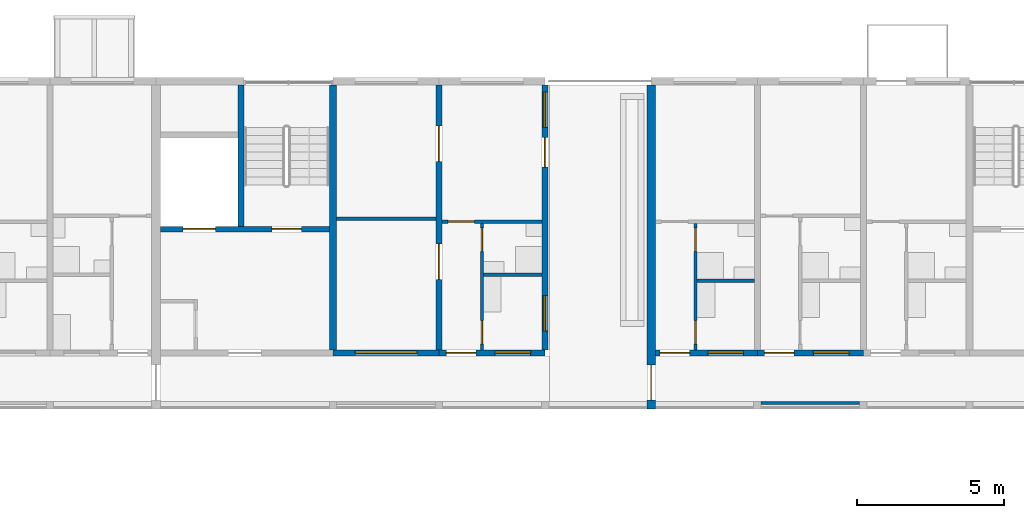
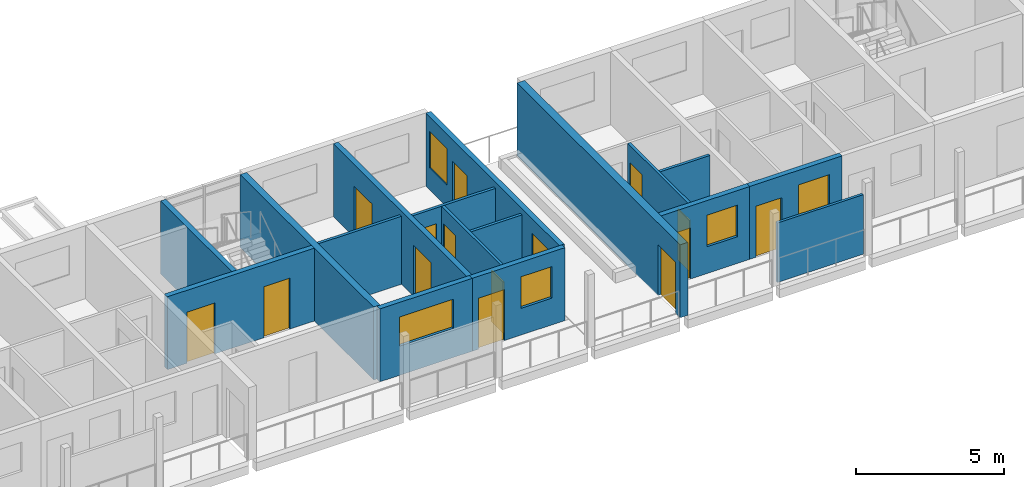
# One storey, part 36 of 93: 17 walls, 14 doors, 6 windows, 20 openings.
"""IFC4 building model written with IfcOpenShell, lengths in metres."""

from ifc_helpers import new_model, si_unit, direction, frame, frame_2d, origin, place, context, subcontext, project, spatial, rectangle, extrude, material, layer, layer_set, type_object, element, fill, save


model = new_model("IFC4")

# Units and contexts
model_context = context("Model", 3, precision=1e-05, world=origin(), true_north=direction((0.0, 1.0)))
body_context = subcontext(model_context, "Body", "Model", "MODEL_VIEW")
ifc_project = project(units=[si_unit("LENGTHUNIT", "METRE"), si_unit("AREAUNIT", "SQUARE_METRE"), si_unit("VOLUMEUNIT", "CUBIC_METRE"), si_unit("PLANEANGLEUNIT", "RADIAN"), si_unit("MASSUNIT", "GRAM", prefix="KILO")], contexts=[model_context])

# Site, building, storey
site_placement = place(None, origin())
site = spatial("IfcSite", under=ifc_project, at=site_placement, CompositionType="ELEMENT")
building_placement = place(site_placement, origin())
building = spatial("IfcBuilding", under=site, at=building_placement, Name="Ridgestep Commons", CompositionType="ELEMENT")
storey_placement = place(building_placement, frame((0.0, 0.0, 18.0)))
storey = spatial("IfcBuildingStorey", under=building, at=storey_placement, Name="L06", CompositionType="ELEMENT", Elevation=18.0)

# Wall
ifc_material_1 = material(Name="Concrete C30/37", Category="concrete")
ifc_layer_1 = layer(ifc_material_1, 0.25)
ifc_layer_set_1 = layer_set([ifc_layer_1], Name="Core cross wall 250")
wall_type_1 = type_object("IfcWallType", Name="Core cross wall 250", PredefinedType="SHEAR", material=ifc_layer_set_1)
wall_1_placement = place(storey_placement, frame((51.60009765625, 68.0, 0.0), z_axis=(0.0, 0.0, 1.0), x_axis=(0.0, 1.0, 0.0)))
element("IfcWall", 1, at=wall_1_placement, inside=storey, type_object=wall_type_1, Name="Cross wall B-06-0516", PredefinedType="SHEAR", context=body_context, shape_type="SweptSolid", body=[
    extrude(rectangle(XDim=9.0, YDim=0.25, at=frame_2d((4.5, 0.0))), origin(), (0.0, 0.0, 1.0), 3.0),
])

# Wall, openings, doors
ifc_material_2 = material(Name="Concrete C30/37", Category="concrete")
ifc_layer_2 = layer(ifc_material_2, 0.199951171875)
ifc_layer_set_2 = layer_set([ifc_layer_2], Name="Core wall 200")
wall_type_2 = type_object("IfcWallType", Name="Core wall 200", PredefinedType="SHEAR", material=ifc_layer_set_2)
wall_2_placement = place(storey_placement, frame((45.75, 72.10009765625, 0.0), z_axis=(0.0, 0.0, 1.0), x_axis=(1.0, 0.0, 0.0)))
wall_2 = element("IfcWall", 2, at=wall_2_placement, inside=storey, type_object=wall_type_2, Name="Core lobby wall B3C L06", PredefinedType="SHEAR", context=body_context, shape_type="SweptSolid", body=[
    extrude(rectangle(XDim=5.72509765625, YDim=0.199951171875, at=frame_2d((2.862548828125, 0.0))), origin(), (0.0, 0.0, 1.0), 3.0),
])
opening_1_placement = place(wall_2_placement, frame((3.77490234375, 0.0, 0.0)))
opening_1 = element("IfcOpeningElement", 3, at=opening_1_placement, cuts=wall_2, Name="Opening B3C/06/2", PredefinedType="OPENING", context=body_context, shape_type="SweptSolid", body=[
    extrude(rectangle(XDim=1.0, YDim=2.10009765625, at=frame_2d((0.5, 1.050048828125))), frame((0.0, 0.10986328125, 0.0), z_axis=(0.0, -1.0, 0.0), x_axis=(1.0, 0.0, 0.0)), (0.0, 0.0, 1.0), 0.219970703125),
])
opening_2_placement = place(wall_2_placement, frame((0.762451171875, 0.0, 0.0)))
opening_2 = element("IfcOpeningElement", 4, at=opening_2_placement, cuts=wall_2, Name="Opening B3C/06/3", PredefinedType="OPENING", context=body_context, shape_type="SweptSolid", body=[
    extrude(rectangle(XDim=1.10009765625, YDim=2.10009765625, at=frame_2d((0.550048828125, 1.050048828125))), frame((0.0, 0.10986328125, 0.0), z_axis=(0.0, -1.0, 0.0), x_axis=(1.0, 0.0, 0.0)), (0.0, 0.0, 1.0), 0.219970703125),
])
ifc_material_3 = material(Name="Stainless steel", Category="steel")
door_type_1 = type_object("IfcDoorType", Name="Lift landing door 1100 x 2100 FD60", OperationType="DOUBLE_DOOR_SLIDING", PredefinedType="DOOR", material=ifc_material_3)
door_1_placement = place(opening_2_placement, origin())
door_1 = element("IfcDoor", 5, at=door_1_placement, inside=storey, type_object=door_type_1, Name="Landing door LD B3C L06", OperationType="DOUBLE_DOOR_SLIDING", OverallHeight=2.10009765625, OverallWidth=1.10009765625, PredefinedType="DOOR", context=body_context, shape_type="SweptSolid", body=[
    extrude(rectangle(XDim=1.10009765625, YDim=2.10009765625, at=frame_2d((0.550048828125, 1.050048828125))), frame((0.0, 0.02490234375, 0.0), z_axis=(0.0, -1.0, 0.0), x_axis=(1.0, 0.0, 0.0)), (0.0, 0.0, 1.0), 0.050048828125),
])
fill(opening_2, door_1)
ifc_material_4 = material(Name="Steel fire door", Category="steel")
door_type_2 = type_object("IfcDoorType", Name="Stair door 1000 x 2100 FD60", OperationType="NOTDEFINED", PredefinedType="DOOR", material=ifc_material_4)
door_2_placement = place(opening_1_placement, origin())
door_2 = element("IfcDoor", 6, at=door_2_placement, inside=storey, type_object=door_type_2, Name="Stair door B3C/06/2", OperationType="SINGLE_SWING_RIGHT", OverallHeight=2.10009765625, OverallWidth=1.0, PredefinedType="DOOR", context=body_context, shape_type="SweptSolid", body=[
    extrude(rectangle(XDim=1.0, YDim=2.10009765625, at=frame_2d((0.5, 1.050048828125))), frame((0.0, 0.02490234375, 0.0), z_axis=(0.0, -1.0, 0.0), x_axis=(1.0, 0.0, 0.0)), (0.0, 0.0, 1.0), 0.050048828125),
])
fill(opening_1, door_2)

# Wall
wall_3_placement = place(storey_placement, frame((48.47509765625, 72.199951171875, 0.0), z_axis=(0.0, 0.0, 1.0), x_axis=(0.0, 1.0, 0.0)))
element("IfcWall", 7, at=wall_3_placement, inside=storey, type_object=wall_type_2, Name="Core stair wall B3C L06", PredefinedType="SHEAR", context=body_context, shape_type="SweptSolid", body=[
    extrude(rectangle(XDim=4.800048828125, YDim=0.199951171875, at=frame_2d((2.39990234375, 0.0))), origin(), (0.0, 0.0, 1.0), 3.0),
])

# Wall, openings, doors
ifc_material_5 = material(Name="Precast concrete C40/50", Category="concrete")
ifc_layer_3 = layer(ifc_material_5, 0.199951171875)
ifc_layer_set_3 = layer_set([ifc_layer_3], Name="Cross wall 200")
wall_type_3 = type_object("IfcWallType", Name="Cross wall 200", PredefinedType="SHEAR", material=ifc_layer_set_3)
wall_4_placement = place(storey_placement, frame((55.199951171875, 68.0, 0.0), z_axis=(0.0, 0.0, 1.0), x_axis=(0.0, 1.0, 0.0)))
wall_4 = element("IfcWall", 8, at=wall_4_placement, inside=storey, type_object=wall_type_3, Name="Cross wall B-06-0552", PredefinedType="SHEAR", context=body_context, shape_type="SweptSolid", body=[
    extrude(rectangle(XDim=9.0, YDim=0.199951171875, at=frame_2d((4.5, 0.0))), origin(), (0.0, 0.0, 1.0), 3.0),
])
opening_3_placement = place(wall_4_placement, frame((2.39990234375, 0.0, 0.0)))
opening_3 = element("IfcOpeningElement", 9, at=opening_3_placement, cuts=wall_4, Name="Opening B3-06a/5", PredefinedType="OPENING", context=body_context, shape_type="SweptSolid", body=[
    extrude(rectangle(XDim=1.199951171875, YDim=2.10009765625, at=frame_2d((0.60009765625, 1.050048828125))), frame((0.0, 0.10986328125, 0.0), z_axis=(0.0, -1.0, 0.0), x_axis=(1.0, 0.0, 0.0)), (0.0, 0.0, 1.0), 0.219970703125),
])
opening_4_placement = place(wall_4_placement, frame((6.39990234375, 0.0, 0.0)))
opening_4 = element("IfcOpeningElement", 10, at=opening_4_placement, cuts=wall_4, Name="Opening B3-06a/6", PredefinedType="OPENING", context=body_context, shape_type="SweptSolid", body=[
    extrude(rectangle(XDim=1.199951171875, YDim=2.10009765625, at=frame_2d((0.60009765625, 1.050048828125))), frame((0.0, 0.10986328125, 0.0), z_axis=(0.0, -1.0, 0.0), x_axis=(1.0, 0.0, 0.0)), (0.0, 0.0, 1.0), 0.219970703125),
])
ifc_material_6 = material(Name="Timber door leaf", Category="wood")
door_type_3 = type_object("IfcDoorType", Name="Double door 1200 x 2100", OperationType="DOUBLE_DOOR_SINGLE_SWING", PredefinedType="DOOR", material=ifc_material_6)
door_3_placement = place(opening_3_placement, origin())
door_3 = element("IfcDoor", 11, at=door_3_placement, inside=storey, type_object=door_type_3, Name="Double door B3-06a/5", OperationType="DOUBLE_DOOR_SINGLE_SWING", OverallHeight=2.10009765625, OverallWidth=1.199951171875, PredefinedType="DOOR", context=body_context, shape_type="SweptSolid", body=[
    extrude(rectangle(XDim=1.199951171875, YDim=2.10009765625, at=frame_2d((0.60009765625, 1.050048828125))), frame((0.0, 0.02490234375, 0.0), z_axis=(0.0, -1.0, 0.0), x_axis=(1.0, 0.0, 0.0)), (0.0, 0.0, 1.0), 0.050048828125),
])
fill(opening_3, door_3)
door_4_placement = place(opening_4_placement, origin())
door_4 = element("IfcDoor", 12, at=door_4_placement, inside=storey, type_object=door_type_3, Name="Double door B3-06a/6", OperationType="DOUBLE_DOOR_SINGLE_SWING", OverallHeight=2.10009765625, OverallWidth=1.199951171875, PredefinedType="DOOR", context=body_context, shape_type="SweptSolid", body=[
    extrude(rectangle(XDim=1.199951171875, YDim=2.10009765625, at=frame_2d((0.60009765625, 1.050048828125))), frame((0.0, 0.02490234375, 0.0), z_axis=(0.0, -1.0, 0.0), x_axis=(1.0, 0.0, 0.0)), (0.0, 0.0, 1.0), 0.050048828125),
])
fill(opening_4, door_4)

# Wall, openings, windows, door
ifc_material_7 = material(Name="Precast concrete C40/50", Category="concrete")
ifc_layer_4 = layer(ifc_material_7, 0.199951171875)
ifc_layer_set_4 = layer_set([ifc_layer_4], Name="Exposed cross wall 200")
wall_type_4 = type_object("IfcWallType", Name="Exposed cross wall 200", PredefinedType="SHEAR", material=ifc_layer_set_4)
wall_5_placement = place(storey_placement, frame((58.800048828125, 68.0, 0.0), z_axis=(0.0, 0.0, 1.0), x_axis=(0.0, 1.0, 0.0)))
wall_5 = element("IfcWall", 13, at=wall_5_placement, inside=storey, type_object=wall_type_4, Name="Cross wall B-06-0588", PredefinedType="SHEAR", context=body_context, shape_type="SweptSolid", body=[
    extrude(rectangle(XDim=9.0, YDim=0.199951171875, at=frame_2d((4.5, 0.0))), origin(), (0.0, 0.0, 1.0), 3.0),
])
opening_5_placement = place(wall_5_placement, frame((0.64990234375, 0.0, 0.89990234375)))
opening_5 = element("IfcOpeningElement", 14, at=opening_5_placement, cuts=wall_5, Name="Opening W10", PredefinedType="OPENING", context=body_context, shape_type="SweptSolid", body=[
    extrude(rectangle(XDim=1.199951171875, YDim=1.5, at=frame_2d((0.60009765625, 0.75))), frame((0.0, 0.10986328125, 0.0), z_axis=(0.0, -1.0, 0.0), x_axis=(1.0, 0.0, 0.0)), (0.0, 0.0, 1.0), 0.219970703125),
])
opening_6_placement = place(wall_5_placement, frame((7.552490234375, 0.0, 0.89990234375)))
opening_6 = element("IfcOpeningElement", 15, at=opening_6_placement, cuts=wall_5, Name="Opening W10", PredefinedType="OPENING", context=body_context, shape_type="SweptSolid", body=[
    extrude(rectangle(XDim=1.199951171875, YDim=1.5, at=frame_2d((0.60009765625, 0.75))), frame((0.0, 0.10986328125, 0.0), z_axis=(0.0, -1.0, 0.0), x_axis=(1.0, 0.0, 0.0)), (0.0, 0.0, 1.0), 0.219970703125),
])
opening_7_placement = place(wall_5_placement, frame((6.205078125, 0.0, 0.0)))
opening_7 = element("IfcOpeningElement", 16, at=opening_7_placement, cuts=wall_5, Name="Opening B3-06a/7", PredefinedType="OPENING", context=body_context, shape_type="SweptSolid", body=[
    extrude(rectangle(XDim=1.0, YDim=2.10009765625, at=frame_2d((0.5, 1.050048828125))), frame((0.0, 0.10986328125, 0.0), z_axis=(0.0, -1.0, 0.0), x_axis=(1.0, 0.0, 0.0)), (0.0, 0.0, 1.0), 0.219970703125),
])
ifc_material_8 = material(Name="Aluminium 6063-T6 and glass", Category="aluminium")
window_type_1 = type_object("IfcWindowType", Name="Flat window 1200 x 1500", PartitioningType="SINGLE_PANEL", PredefinedType="WINDOW", material=ifc_material_8)
window_1_placement = place(opening_5_placement, origin())
window_1 = element("IfcWindow", 17, at=window_1_placement, inside=storey, type_object=window_type_1, Name="Window B3-06a 5", OverallHeight=1.5, OverallWidth=1.199951171875, PartitioningType="SINGLE_PANEL", PredefinedType="WINDOW", context=body_context, shape_type="SweptSolid", body=[
    extrude(rectangle(XDim=1.199951171875, YDim=1.5, at=frame_2d((0.60009765625, 0.75))), frame((0.0, 0.06005859375, 0.0), z_axis=(0.0, -1.0, 0.0), x_axis=(1.0, 0.0, 0.0)), (0.0, 0.0, 1.0), 0.06005859375),
])
fill(opening_5, window_1)
window_2_placement = place(opening_6_placement, origin())
window_2 = element("IfcWindow", 18, at=window_2_placement, inside=storey, type_object=window_type_1, Name="Window B3-06a 6", OverallHeight=1.5, OverallWidth=1.199951171875, PartitioningType="SINGLE_PANEL", PredefinedType="WINDOW", context=body_context, shape_type="SweptSolid", body=[
    extrude(rectangle(XDim=1.199951171875, YDim=1.5, at=frame_2d((0.60009765625, 0.75))), frame((0.0, 0.06005859375, 0.0), z_axis=(0.0, -1.0, 0.0), x_axis=(1.0, 0.0, 0.0)), (0.0, 0.0, 1.0), 0.06005859375),
])
fill(opening_6, window_2)
ifc_material_9 = material(Name="Aluminium and glass", Category="aluminium")
door_type_4 = type_object("IfcDoorType", Name="Terrace door 1000 x 2100", OperationType="NOTDEFINED", PredefinedType="DOOR", material=ifc_material_9)
door_5_placement = place(opening_7_placement, origin())
door_5 = element("IfcDoor", 19, at=door_5_placement, inside=storey, type_object=door_type_4, Name="Terrace door B3-06a/7", OperationType="SINGLE_SWING_LEFT", OverallHeight=2.10009765625, OverallWidth=1.0, PredefinedType="DOOR", context=body_context, shape_type="SweptSolid", body=[
    extrude(rectangle(XDim=1.0, YDim=2.10009765625, at=frame_2d((0.5, 1.050048828125))), frame((0.0, 0.02490234375, 0.0), z_axis=(0.0, -1.0, 0.0), x_axis=(1.0, 0.0, 0.0)), (0.0, 0.0, 1.0), 0.050048828125),
])
fill(opening_7, door_5)

# Wall, opening, door
ifc_material_10 = material(Name="Precast concrete C40/50", Category="concrete")
ifc_layer_5 = layer(ifc_material_10, 0.300048828125)
ifc_layer_set_5 = layer_set([ifc_layer_5], Name="Exposed division wall 300")
wall_type_5 = type_object("IfcWallType", Name="Exposed division wall 300", PredefinedType="SHEAR", material=ifc_layer_set_5)
wall_6_placement = place(storey_placement, frame((62.39990234375, 66.0, 0.0), z_axis=(0.0, 0.0, 1.0), x_axis=(0.0, 1.0, 0.0)))
wall_6 = element("IfcWall", 20, at=wall_6_placement, inside=storey, type_object=wall_type_5, Name="Cross wall B-06-0624", PredefinedType="SHEAR", context=body_context, shape_type="SweptSolid", body=[
    extrude(rectangle(XDim=11.0, YDim=0.300048828125, at=frame_2d((5.5, 0.0))), origin(), (0.0, 0.0, 1.0), 3.0),
])
opening_8_placement = place(wall_6_placement, frame((0.300048828125, 0.0, 0.0)))
opening_8 = element("IfcOpeningElement", 21, at=opening_8_placement, cuts=wall_6, Name="Opening B/06/G0624", PredefinedType="OPENING", context=body_context, shape_type="SweptSolid", body=[
    extrude(rectangle(XDim=1.199951171875, YDim=2.10009765625, at=frame_2d((0.60009765625, 1.050048828125))), frame((0.0, 0.159912109375, 0.0), z_axis=(0.0, -1.0, 0.0), x_axis=(1.0, 0.0, 0.0)), (0.0, 0.0, 1.0), 0.320068359375),
])
ifc_material_11 = material(Name="Steel fire door", Category="steel")
door_type_5 = type_object("IfcDoorType", Name="Division fire door 1200 x 2100 EI 240", OperationType="DOUBLE_DOOR_SINGLE_SWING", PredefinedType="DOOR", material=ifc_material_11)
door_6_placement = place(opening_8_placement, origin())
door_6 = element("IfcDoor", 22, at=door_6_placement, inside=storey, type_object=door_type_5, Name="Division fire door B/06/G0624", OperationType="DOUBLE_DOOR_SINGLE_SWING", OverallHeight=2.10009765625, OverallWidth=1.199951171875, PredefinedType="DOOR", context=body_context, shape_type="SweptSolid", body=[
    extrude(rectangle(XDim=1.199951171875, YDim=2.10009765625, at=frame_2d((0.60009765625, 1.050048828125))), frame((0.0, 0.02490234375, 0.0), z_axis=(0.0, -1.0, 0.0), x_axis=(1.0, 0.0, 0.0)), (0.0, 0.0, 1.0), 0.050048828125),
])
fill(opening_8, door_6)

# Wall, openings, doors
ifc_material_12 = material(Name="Common brick 110 mm", Category="masonry")
ifc_layer_6 = layer(ifc_material_12, 0.110107421875)
ifc_layer_set_6 = layer_set([ifc_layer_6], Name="Partition 110")
wall_type_6 = type_object("IfcWallType", Name="Partition 110", PredefinedType="PARTITIONING", material=ifc_layer_set_6)
wall_7_placement = place(storey_placement, frame((56.655029296875, 68.0, 0.0), z_axis=(0.0, 0.0, 1.0), x_axis=(0.0, 1.0, 0.0)))
wall_7 = element("IfcWall", 23, at=wall_7_placement, inside=storey, type_object=wall_type_6, Name="Partition B3-06a", PredefinedType="PARTITIONING", context=body_context, shape_type="SweptSolid", body=[
    extrude(rectangle(XDim=4.300048828125, YDim=0.110107421875, at=frame_2d((2.14990234375, 0.0))), origin(), (0.0, 0.0, 1.0), 2.75),
])
opening_9_placement = place(wall_7_placement, frame((0.199951171875, 0.0, 0.0)))
opening_9 = element("IfcOpeningElement", 24, at=opening_9_placement, cuts=wall_7, Name="Opening B3-06a/2", PredefinedType="OPENING", context=body_context, shape_type="SweptSolid", body=[
    extrude(rectangle(XDim=0.800048828125, YDim=2.10009765625, at=frame_2d((0.39990234375, 1.050048828125))), frame((0.0, 0.06494140625, 0.0), z_axis=(0.0, -1.0, 0.0), x_axis=(1.0, 0.0, 0.0)), (0.0, 0.0, 1.0), 0.130126953125),
])
opening_10_placement = place(wall_7_placement, frame((3.35009765625, 0.0, 0.0)))
opening_10 = element("IfcOpeningElement", 25, at=opening_10_placement, cuts=wall_7, Name="Opening B3-06a/3", PredefinedType="OPENING", context=body_context, shape_type="SweptSolid", body=[
    extrude(rectangle(XDim=0.800048828125, YDim=2.10009765625, at=frame_2d((0.39990234375, 1.050048828125))), frame((0.0, 0.06494140625, 0.0), z_axis=(0.0, -1.0, 0.0), x_axis=(1.0, 0.0, 0.0)), (0.0, 0.0, 1.0), 0.130126953125),
])
ifc_material_13 = material(Name="Timber door leaf", Category="wood")
door_type_6 = type_object("IfcDoorType", Name="Internal door 800 x 2100", OperationType="NOTDEFINED", PredefinedType="DOOR", material=ifc_material_13)
door_7_placement = place(opening_9_placement, origin())
door_7 = element("IfcDoor", 26, at=door_7_placement, inside=storey, type_object=door_type_6, Name="Internal door B3-06a/2", OperationType="SINGLE_SWING_RIGHT", OverallHeight=2.10009765625, OverallWidth=0.800048828125, PredefinedType="DOOR", context=body_context, shape_type="SweptSolid", body=[
    extrude(rectangle(XDim=0.800048828125, YDim=2.10009765625, at=frame_2d((0.39990234375, 1.050048828125))), frame((0.0, 0.02490234375, 0.0), z_axis=(0.0, -1.0, 0.0), x_axis=(1.0, 0.0, 0.0)), (0.0, 0.0, 1.0), 0.050048828125),
])
fill(opening_9, door_7)
door_8_placement = place(opening_10_placement, origin())
door_8 = element("IfcDoor", 27, at=door_8_placement, inside=storey, type_object=door_type_6, Name="Internal door B3-06a/3", OperationType="SINGLE_SWING_LEFT", OverallHeight=2.10009765625, OverallWidth=0.800048828125, PredefinedType="DOOR", context=body_context, shape_type="SweptSolid", body=[
    extrude(rectangle(XDim=0.800048828125, YDim=2.10009765625, at=frame_2d((0.39990234375, 1.050048828125))), frame((0.0, 0.02490234375, 0.0), z_axis=(0.0, -1.0, 0.0), x_axis=(1.0, 0.0, 0.0)), (0.0, 0.0, 1.0), 0.050048828125),
])
fill(opening_10, door_8)

# Wall
wall_8_placement = place(storey_placement, frame((56.7099609375, 70.554931640625, 0.0), z_axis=(0.0, 0.0, 1.0), x_axis=(1.0, 0.0, 0.0)))
element("IfcWall", 28, at=wall_8_placement, inside=storey, type_object=wall_type_6, Name="Partition B3-06a", PredefinedType="PARTITIONING", context=body_context, shape_type="SweptSolid", body=[
    extrude(rectangle(XDim=1.989990234375, YDim=0.110107421875, at=frame_2d((0.9951171875, 0.0))), origin(), (0.0, 0.0, 1.0), 2.75),
])

# Wall, opening, door
wall_9_placement = place(storey_placement, frame((55.300048828125, 72.35498046875, 0.0), z_axis=(0.0, 0.0, 1.0), x_axis=(1.0, 0.0, 0.0)))
wall_9 = element("IfcWall", 29, at=wall_9_placement, inside=storey, type_object=wall_type_6, Name="Partition B3-06a", PredefinedType="PARTITIONING", context=body_context, shape_type="SweptSolid", body=[
    extrude(rectangle(XDim=3.39990234375, YDim=0.110107421875, at=frame_2d((1.699951171875, 0.0))), origin(), (0.0, 0.0, 1.0), 2.75),
])
opening_11_placement = place(wall_9_placement, frame((0.199951171875, 0.0, 0.0)))
opening_11 = element("IfcOpeningElement", 30, at=opening_11_placement, cuts=wall_9, Name="Opening B3-06a/4", PredefinedType="OPENING", context=body_context, shape_type="SweptSolid", body=[
    extrude(rectangle(XDim=0.89990234375, YDim=2.10009765625, at=frame_2d((0.449951171875, 1.050048828125))), frame((0.0, 0.06494140625, 0.0), z_axis=(0.0, -1.0, 0.0), x_axis=(1.0, 0.0, 0.0)), (0.0, 0.0, 1.0), 0.130126953125),
])
ifc_material_14 = material(Name="Timber door leaf", Category="wood")
door_type_7 = type_object("IfcDoorType", Name="Internal door 900 x 2100", OperationType="NOTDEFINED", PredefinedType="DOOR", material=ifc_material_14)
door_9_placement = place(opening_11_placement, origin())
door_9 = element("IfcDoor", 31, at=door_9_placement, inside=storey, type_object=door_type_7, Name="Internal door B3-06a/4", OperationType="SINGLE_SWING_LEFT", OverallHeight=2.10009765625, OverallWidth=0.89990234375, PredefinedType="DOOR", context=body_context, shape_type="SweptSolid", body=[
    extrude(rectangle(XDim=0.89990234375, YDim=2.10009765625, at=frame_2d((0.449951171875, 1.050048828125))), frame((0.0, 0.02490234375, 0.0), z_axis=(0.0, -1.0, 0.0), x_axis=(1.0, 0.0, 0.0)), (0.0, 0.0, 1.0), 0.050048828125),
])
fill(opening_11, door_9)

# Wall
wall_10_placement = place(storey_placement, frame((51.72509765625, 72.455078125, 0.0), z_axis=(0.0, 0.0, 1.0), x_axis=(1.0, 0.0, 0.0)))
element("IfcWall", 32, at=wall_10_placement, inside=storey, type_object=wall_type_6, Name="Partition B3-06a", PredefinedType="PARTITIONING", context=body_context, shape_type="SweptSolid", body=[
    extrude(rectangle(XDim=3.375, YDim=0.110107421875, at=frame_2d((1.6875, 0.0))), origin(), (0.0, 0.0, 1.0), 2.800048828125),
])

# Wall, openings, doors
wall_11_placement = place(storey_placement, frame((63.905029296875, 68.0, 0.0), z_axis=(0.0, 0.0, 1.0), x_axis=(0.0, 1.0, 0.0)))
wall_11 = element("IfcWall", 33, at=wall_11_placement, inside=storey, type_object=wall_type_6, Name="Partition B4-06a", PredefinedType="PARTITIONING", context=body_context, shape_type="SweptSolid", body=[
    extrude(rectangle(XDim=4.300048828125, YDim=0.110107421875, at=frame_2d((2.14990234375, 0.0))), origin(), (0.0, 0.0, 1.0), 2.800048828125),
])
opening_12_placement = place(wall_11_placement, frame((0.199951171875, 0.0, 0.0)))
opening_12 = element("IfcOpeningElement", 34, at=opening_12_placement, cuts=wall_11, Name="Opening B4-06a/2", PredefinedType="OPENING", context=body_context, shape_type="SweptSolid", body=[
    extrude(rectangle(XDim=0.800048828125, YDim=2.10009765625, at=frame_2d((0.39990234375, 1.050048828125))), frame((0.0, 0.06494140625, 0.0), z_axis=(0.0, -1.0, 0.0), x_axis=(1.0, 0.0, 0.0)), (0.0, 0.0, 1.0), 0.130126953125),
])
opening_13_placement = place(wall_11_placement, frame((3.35009765625, 0.0, 0.0)))
opening_13 = element("IfcOpeningElement", 35, at=opening_13_placement, cuts=wall_11, Name="Opening B4-06a/3", PredefinedType="OPENING", context=body_context, shape_type="SweptSolid", body=[
    extrude(rectangle(XDim=0.800048828125, YDim=2.10009765625, at=frame_2d((0.39990234375, 1.050048828125))), frame((0.0, 0.06494140625, 0.0), z_axis=(0.0, -1.0, 0.0), x_axis=(1.0, 0.0, 0.0)), (0.0, 0.0, 1.0), 0.130126953125),
])
door_10_placement = place(opening_12_placement, origin())
door_10 = element("IfcDoor", 36, at=door_10_placement, inside=storey, type_object=door_type_6, Name="Internal door B4-06a/2", OperationType="SINGLE_SWING_RIGHT", OverallHeight=2.10009765625, OverallWidth=0.800048828125, PredefinedType="DOOR", context=body_context, shape_type="SweptSolid", body=[
    extrude(rectangle(XDim=0.800048828125, YDim=2.10009765625, at=frame_2d((0.39990234375, 1.050048828125))), frame((0.0, 0.02490234375, 0.0), z_axis=(0.0, -1.0, 0.0), x_axis=(1.0, 0.0, 0.0)), (0.0, 0.0, 1.0), 0.050048828125),
])
fill(opening_12, door_10)
door_11_placement = place(opening_13_placement, origin())
door_11 = element("IfcDoor", 37, at=door_11_placement, inside=storey, type_object=door_type_6, Name="Internal door B4-06a/3", OperationType="SINGLE_SWING_LEFT", OverallHeight=2.10009765625, OverallWidth=0.800048828125, PredefinedType="DOOR", context=body_context, shape_type="SweptSolid", body=[
    extrude(rectangle(XDim=0.800048828125, YDim=2.10009765625, at=frame_2d((0.39990234375, 1.050048828125))), frame((0.0, 0.02490234375, 0.0), z_axis=(0.0, -1.0, 0.0), x_axis=(1.0, 0.0, 0.0)), (0.0, 0.0, 1.0), 0.050048828125),
])
fill(opening_13, door_11)

# Walls
wall_12_placement = place(storey_placement, frame((63.9599609375, 70.35498046875, 0.0), z_axis=(0.0, 0.0, 1.0), x_axis=(1.0, 0.0, 0.0)))
element("IfcWall", 38, at=wall_12_placement, inside=storey, type_object=wall_type_6, Name="Partition B4-06a", PredefinedType="PARTITIONING", context=body_context, shape_type="SweptSolid", body=[
    extrude(rectangle(XDim=1.93994140625, YDim=0.110107421875, at=frame_2d((0.969970703125, 0.0))), origin(), (0.0, 0.0, 1.0), 2.800048828125),
])
ifc_material_15 = material(Name="Precast concrete C30/37", Category="concrete")
ifc_layer_7 = layer(ifc_material_15, 0.10009765625)
ifc_layer_set_7 = layer_set([ifc_layer_7], Name="Perforated gallery screen 3350 x 2450 x 100")
wall_type_7 = type_object("IfcWallType", Name="Perforated gallery screen 3350 x 2450 x 100", PredefinedType="SOLIDWALL", material=ifc_layer_set_7)
wall_13_placement = place(storey_placement, frame((66.125, 66.199951171875, 0.0), z_axis=(0.0, 0.0, 1.0), x_axis=(1.0, 0.0, 0.0)))
element("IfcWall", 39, at=wall_13_placement, inside=storey, type_object=wall_type_7, Name="Gallery screen B4T2 06", PredefinedType="SOLIDWALL", context=body_context, shape_type="SweptSolid", body=[
    extrude(rectangle(XDim=3.35009765625, YDim=0.10009765625, at=frame_2d((1.675048828125, 0.0))), origin(), (0.0, 0.0, 1.0), 2.449951171875),
])

# Wall, opening, window
ifc_material_16 = material(Name="Precast concrete C40/50", Category="concrete")
ifc_layer_8 = layer(ifc_material_16, 0.199951171875)
ifc_layer_set_8 = layer_set([ifc_layer_8], Name="South facade panel 200")
wall_type_8 = type_object("IfcWallType", Name="South facade panel 200", PredefinedType="SOLIDWALL", material=ifc_layer_set_8)
wall_14_placement = place(storey_placement, frame((51.60009765625, 67.89990234375, 0.0), z_axis=(0.0, 0.0, 1.0), x_axis=(1.0, 0.0, 0.0)))
wall_14 = element("IfcWall", 40, at=wall_14_placement, inside=storey, type_object=wall_type_8, Name="South panel B3T3 L06", PredefinedType="SOLIDWALL", context=body_context, shape_type="SweptSolid", body=[
    extrude(rectangle(XDim=3.599853515625, YDim=0.199951171875, at=frame_2d((1.7998046875, 0.0))), origin(), (0.0, 0.0, 1.0), 3.0),
])
opening_14_placement = place(wall_14_placement, frame((0.762451171875, 0.0, 1.199951171875)))
opening_14 = element("IfcOpeningElement", 41, at=opening_14_placement, cuts=wall_14, Name="Opening W22", PredefinedType="OPENING", context=body_context, shape_type="SweptSolid", body=[
    extrude(rectangle(XDim=2.10009765625, YDim=1.199951171875, at=frame_2d((1.050048828125, 0.60009765625))), frame((0.0, 0.10986328125, 0.0), z_axis=(0.0, -1.0, 0.0), x_axis=(1.0, 0.0, 0.0)), (0.0, 0.0, 1.0), 0.219970703125),
])
ifc_material_17 = material(Name="Aluminium 6063-T6 and glass", Category="aluminium")
window_type_2 = type_object("IfcWindowType", Name="Flat window 2100 x 1200", PartitioningType="DOUBLE_PANEL_VERTICAL", PredefinedType="WINDOW", material=ifc_material_17)
window_3_placement = place(opening_14_placement, origin())
window_3 = element("IfcWindow", 42, at=window_3_placement, inside=storey, type_object=window_type_2, Name="Window B3-06a 1", OverallHeight=1.199951171875, OverallWidth=2.10009765625, PartitioningType="SINGLE_PANEL", PredefinedType="WINDOW", context=body_context, shape_type="SweptSolid", body=[
    extrude(rectangle(XDim=2.10009765625, YDim=1.199951171875, at=frame_2d((1.050048828125, 0.60009765625))), frame((0.0, 0.06005859375, 0.0), z_axis=(0.0, -1.0, 0.0), x_axis=(1.0, 0.0, 0.0)), (0.0, 0.0, 1.0), 0.06005859375),
])
fill(opening_14, window_3)

# Wall, openings, door, window
wall_15_placement = place(storey_placement, frame((55.199951171875, 67.89990234375, 0.0), z_axis=(0.0, 0.0, 1.0), x_axis=(1.0, 0.0, 0.0)))
wall_15 = element("IfcWall", 43, at=wall_15_placement, inside=storey, type_object=wall_type_8, Name="South panel B3T2 L06", PredefinedType="SOLIDWALL", context=body_context, shape_type="SweptSolid", body=[
    extrude(rectangle(XDim=3.60009765625, YDim=0.199951171875, at=frame_2d((1.800048828125, 0.0))), origin(), (0.0, 0.0, 1.0), 3.0),
])
opening_15_placement = place(wall_15_placement, frame((1.905029296875, 0.0, 1.10009765625)))
opening_15 = element("IfcOpeningElement", 44, at=opening_15_placement, cuts=wall_15, Name="Opening W08", PredefinedType="OPENING", context=body_context, shape_type="SweptSolid", body=[
    extrude(rectangle(XDim=1.199951171875, YDim=1.300048828125, at=frame_2d((0.60009765625, 0.64990234375))), frame((0.0, 0.10986328125, 0.0), z_axis=(0.0, -1.0, 0.0), x_axis=(1.0, 0.0, 0.0)), (0.0, 0.0, 1.0), 0.219970703125),
])
opening_16_placement = place(wall_15_placement, frame((0.25, 0.0, 0.0)))
opening_16 = element("IfcOpeningElement", 45, at=opening_16_placement, cuts=wall_15, Name="Opening B3-06a/1", PredefinedType="OPENING", context=body_context, shape_type="SweptSolid", body=[
    extrude(rectangle(XDim=1.0, YDim=2.10009765625, at=frame_2d((0.5, 1.050048828125))), frame((0.0, 0.10986328125, 0.0), z_axis=(0.0, -1.0, 0.0), x_axis=(1.0, 0.0, 0.0)), (0.0, 0.0, 1.0), 0.219970703125),
])
ifc_material_18 = material(Name="Timber door leaf", Category="wood")
door_type_8 = type_object("IfcDoorType", Name="Flat entrance door 1000 x 2100 FD30S", OperationType="NOTDEFINED", PredefinedType="DOOR", material=ifc_material_18)
door_12_placement = place(opening_16_placement, origin())
door_12 = element("IfcDoor", 46, at=door_12_placement, inside=storey, type_object=door_type_8, Name="Flat entrance door B3-06a/1", OperationType="SINGLE_SWING_LEFT", OverallHeight=2.10009765625, OverallWidth=1.0, PredefinedType="DOOR", context=body_context, shape_type="SweptSolid", body=[
    extrude(rectangle(XDim=1.0, YDim=2.10009765625, at=frame_2d((0.5, 1.050048828125))), frame((0.0, 0.02490234375, 0.0), z_axis=(0.0, -1.0, 0.0), x_axis=(1.0, 0.0, 0.0)), (0.0, 0.0, 1.0), 0.050048828125),
])
fill(opening_16, door_12)
ifc_material_19 = material(Name="Aluminium 6063-T6 and glass", Category="aluminium")
window_type_3 = type_object("IfcWindowType", Name="Flat window 1200 x 1300", PartitioningType="SINGLE_PANEL", PredefinedType="WINDOW", material=ifc_material_19)
window_4_placement = place(opening_15_placement, origin())
window_4 = element("IfcWindow", 47, at=window_4_placement, inside=storey, type_object=window_type_3, Name="Window B3-06a 3", OverallHeight=1.300048828125, OverallWidth=1.199951171875, PartitioningType="SINGLE_PANEL", PredefinedType="WINDOW", context=body_context, shape_type="SweptSolid", body=[
    extrude(rectangle(XDim=1.199951171875, YDim=1.300048828125, at=frame_2d((0.60009765625, 0.64990234375))), frame((0.0, 0.06005859375, 0.0), z_axis=(0.0, -1.0, 0.0), x_axis=(1.0, 0.0, 0.0)), (0.0, 0.0, 1.0), 0.06005859375),
])
fill(opening_15, window_4)

wall_16_placement = place(storey_placement, frame((62.550048828125, 67.89990234375, 0.0), z_axis=(0.0, 0.0, 1.0), x_axis=(1.0, 0.0, 0.0)))
wall_16 = element("IfcWall", 48, at=wall_16_placement, inside=storey, type_object=wall_type_8, Name="South panel B4T1 L06", PredefinedType="SOLIDWALL", context=body_context, shape_type="SweptSolid", body=[
    extrude(rectangle(XDim=3.449951171875, YDim=0.199951171875, at=frame_2d((1.72509765625, 0.0))), origin(), (0.0, 0.0, 1.0), 3.0),
])
opening_17_placement = place(wall_16_placement, frame((1.780029296875, 0.0, 1.10009765625)))
opening_17 = element("IfcOpeningElement", 49, at=opening_17_placement, cuts=wall_16, Name="Opening W08", PredefinedType="OPENING", context=body_context, shape_type="SweptSolid", body=[
    extrude(rectangle(XDim=1.199951171875, YDim=1.300048828125, at=frame_2d((0.60009765625, 0.64990234375))), frame((0.0, 0.10986328125, 0.0), z_axis=(0.0, -1.0, 0.0), x_axis=(1.0, 0.0, 0.0)), (0.0, 0.0, 1.0), 0.219970703125),
])
opening_18_placement = place(wall_16_placement, frame((0.14990234375, 0.0, 0.0)))
opening_18 = element("IfcOpeningElement", 50, at=opening_18_placement, cuts=wall_16, Name="Opening B4-06a/1", PredefinedType="OPENING", context=body_context, shape_type="SweptSolid", body=[
    extrude(rectangle(XDim=1.0, YDim=2.10009765625, at=frame_2d((0.5, 1.050048828125))), frame((0.0, 0.10986328125, 0.0), z_axis=(0.0, -1.0, 0.0), x_axis=(1.0, 0.0, 0.0)), (0.0, 0.0, 1.0), 0.219970703125),
])
door_13_placement = place(opening_18_placement, origin())
door_13 = element("IfcDoor", 51, at=door_13_placement, inside=storey, type_object=door_type_8, Name="Flat entrance door B4-06a/1", OperationType="SINGLE_SWING_LEFT", OverallHeight=2.10009765625, OverallWidth=1.0, PredefinedType="DOOR", context=body_context, shape_type="SweptSolid", body=[
    extrude(rectangle(XDim=1.0, YDim=2.10009765625, at=frame_2d((0.5, 1.050048828125))), frame((0.0, 0.02490234375, 0.0), z_axis=(0.0, -1.0, 0.0), x_axis=(1.0, 0.0, 0.0)), (0.0, 0.0, 1.0), 0.050048828125),
])
fill(opening_18, door_13)
window_5_placement = place(opening_17_placement, origin())
window_5 = element("IfcWindow", 52, at=window_5_placement, inside=storey, type_object=window_type_3, Name="Window B4-06a 1", OverallHeight=1.300048828125, OverallWidth=1.199951171875, PartitioningType="SINGLE_PANEL", PredefinedType="WINDOW", context=body_context, shape_type="SweptSolid", body=[
    extrude(rectangle(XDim=1.199951171875, YDim=1.300048828125, at=frame_2d((0.60009765625, 0.64990234375))), frame((0.0, 0.06005859375, 0.0), z_axis=(0.0, -1.0, 0.0), x_axis=(1.0, 0.0, 0.0)), (0.0, 0.0, 1.0), 0.06005859375),
])
fill(opening_17, window_5)

wall_17_placement = place(storey_placement, frame((66.0, 67.89990234375, 0.0), z_axis=(0.0, 0.0, 1.0), x_axis=(1.0, 0.0, 0.0)))
wall_17 = element("IfcWall", 53, at=wall_17_placement, inside=storey, type_object=wall_type_8, Name="South panel B4T2 L06", PredefinedType="SOLIDWALL", context=body_context, shape_type="SweptSolid", body=[
    extrude(rectangle(XDim=3.60009765625, YDim=0.199951171875, at=frame_2d((1.800048828125, 0.0))), origin(), (0.0, 0.0, 1.0), 3.0),
])
opening_19_placement = place(wall_17_placement, frame((1.905029296875, 0.0, 1.10009765625)))
opening_19 = element("IfcOpeningElement", 54, at=opening_19_placement, cuts=wall_17, Name="Opening W08", PredefinedType="OPENING", context=body_context, shape_type="SweptSolid", body=[
    extrude(rectangle(XDim=1.199951171875, YDim=1.300048828125, at=frame_2d((0.60009765625, 0.64990234375))), frame((0.0, 0.10986328125, 0.0), z_axis=(0.0, -1.0, 0.0), x_axis=(1.0, 0.0, 0.0)), (0.0, 0.0, 1.0), 0.219970703125),
])
opening_20_placement = place(wall_17_placement, frame((0.25, 0.0, 0.0)))
opening_20 = element("IfcOpeningElement", 55, at=opening_20_placement, cuts=wall_17, Name="Opening B4-06b/1", PredefinedType="OPENING", context=body_context, shape_type="SweptSolid", body=[
    extrude(rectangle(XDim=1.0, YDim=2.10009765625, at=frame_2d((0.5, 1.050048828125))), frame((0.0, 0.10986328125, 0.0), z_axis=(0.0, -1.0, 0.0), x_axis=(1.0, 0.0, 0.0)), (0.0, 0.0, 1.0), 0.219970703125),
])
door_14_placement = place(opening_20_placement, origin())
door_14 = element("IfcDoor", 56, at=door_14_placement, inside=storey, type_object=door_type_8, Name="Flat entrance door B4-06b/1", OperationType="SINGLE_SWING_LEFT", OverallHeight=2.10009765625, OverallWidth=1.0, PredefinedType="DOOR", context=body_context, shape_type="SweptSolid", body=[
    extrude(rectangle(XDim=1.0, YDim=2.10009765625, at=frame_2d((0.5, 1.050048828125))), frame((0.0, 0.02490234375, 0.0), z_axis=(0.0, -1.0, 0.0), x_axis=(1.0, 0.0, 0.0)), (0.0, 0.0, 1.0), 0.050048828125),
])
fill(opening_20, door_14)
window_6_placement = place(opening_19_placement, origin())
window_6 = element("IfcWindow", 57, at=window_6_placement, inside=storey, type_object=window_type_3, Name="Window B4-06b 1", OverallHeight=1.300048828125, OverallWidth=1.199951171875, PartitioningType="SINGLE_PANEL", PredefinedType="WINDOW", context=body_context, shape_type="SweptSolid", body=[
    extrude(rectangle(XDim=1.199951171875, YDim=1.300048828125, at=frame_2d((0.60009765625, 0.64990234375))), frame((0.0, 0.06005859375, 0.0), z_axis=(0.0, -1.0, 0.0), x_axis=(1.0, 0.0, 0.0)), (0.0, 0.0, 1.0), 0.06005859375),
])
fill(opening_19, window_6)

save(model, "model.ifc")
